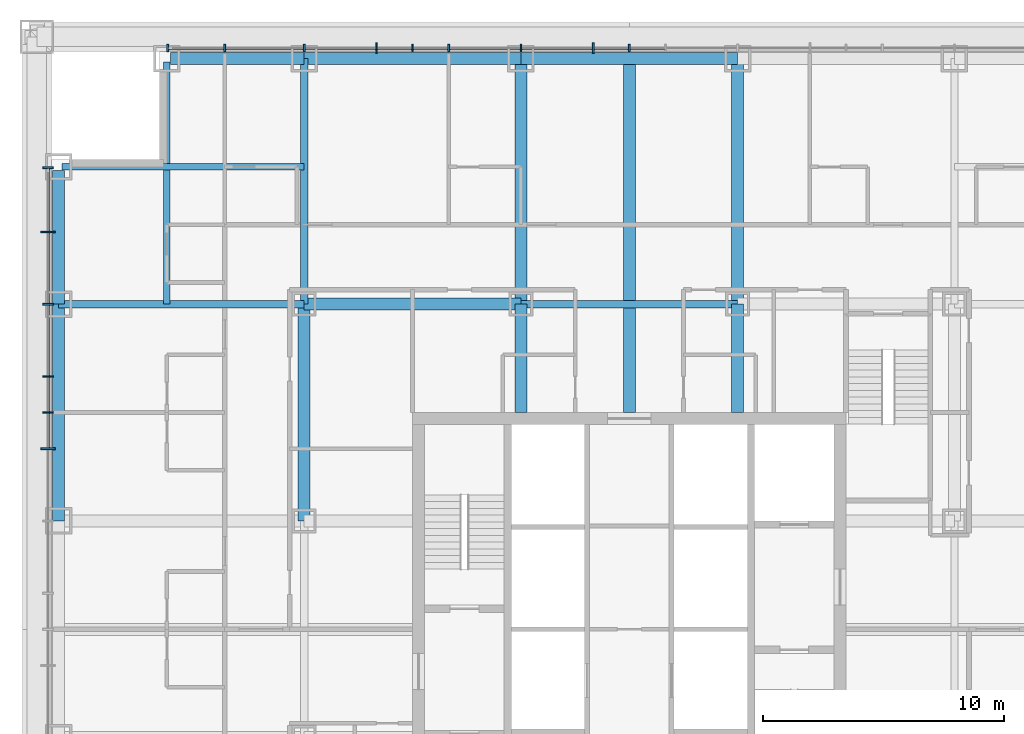
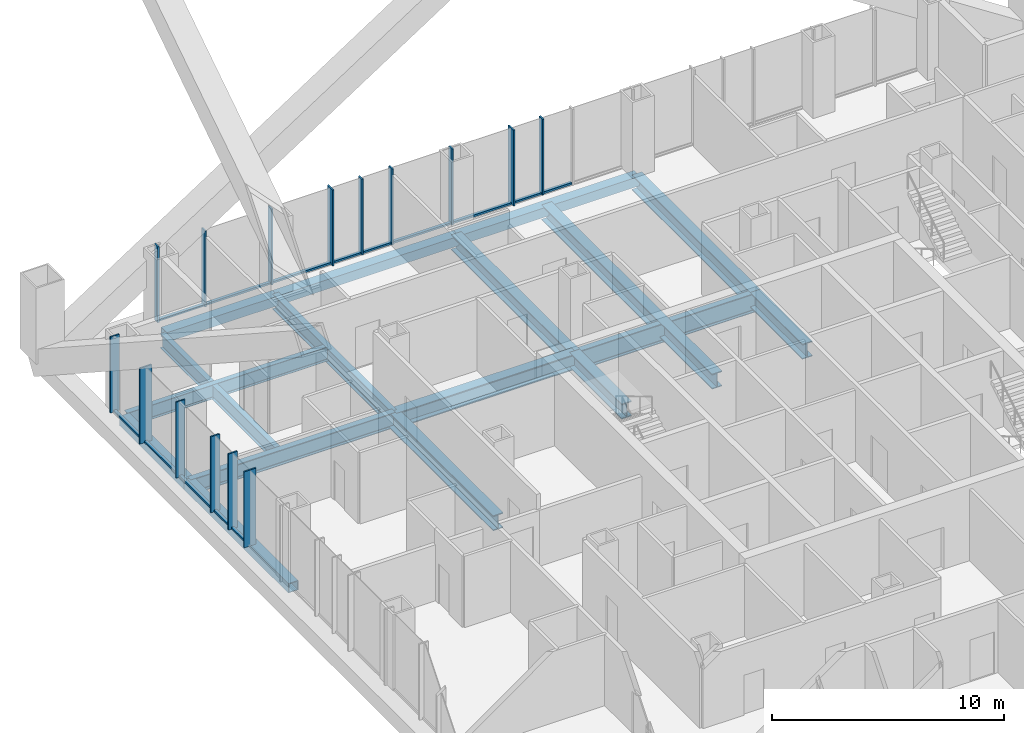
# One storey, part 7 of 21: 29 members, 17 beams, 2 elements without a shape of their own.
"""IFC4 building model written with IfcOpenShell, lengths in metres."""

from ifc_helpers import new_model, si_unit, direction, frame, origin, origin_2d, place, context, subcontext, project, spatial, rectangle, hollow_rectangle, i_section, extrude, material, layer, layer_set, material_profile, profile_set, type_object, element, aggregate, save


model = new_model("IFC4")

# Units and contexts
model_context = context("Model", 3, precision=1e-05, world=origin(), true_north=direction((0.0, 1.0)))
body_context = subcontext(model_context, "Body", "Model", "MODEL_VIEW")
ifc_project = project(units=[si_unit("LENGTHUNIT", "METRE"), si_unit("AREAUNIT", "SQUARE_METRE"), si_unit("VOLUMEUNIT", "CUBIC_METRE"), si_unit("PLANEANGLEUNIT", "RADIAN"), si_unit("MASSUNIT", "GRAM", prefix="KILO")], contexts=[model_context])

# Site, building, storey
site_placement = place(None, origin())
site = spatial("IfcSite", under=ifc_project, at=site_placement, CompositionType="ELEMENT")
building_placement = place(site_placement, origin())
building = spatial("IfcBuilding", under=site, at=building_placement, Name="Malebo Sky Hospital", CompositionType="ELEMENT")
storey_placement = place(building_placement, frame((0.0, 0.0, 140.0)))
storey = spatial("IfcBuildingStorey", under=building, at=storey_placement, Name="L33", CompositionType="ELEMENT", Elevation=140.0)

# Curtain wall, members
ifc_material_1 = material(Name="Anodised aluminium, natural silver", Category="aluminium")
ifc_layer_1 = layer(ifc_material_1, 0.25)
ifc_layer_set_1 = layer_set([ifc_layer_1], Name="WARD CURTAIN WALL NORTH AND SOUTH")
curtain_wall_type_1 = type_object("IfcCurtainWallType", Name="WARD CURTAIN WALL NORTH AND SOUTH", PredefinedType="NOTDEFINED", material=ifc_layer_set_1)
curtain_wall_1_placement = place(storey_placement, origin())
curtain_wall_1 = element("IfcCurtainWall", 1, at=curtain_wall_1_placement, inside=storey, type_object=curtain_wall_type_1, Name="NS curtain wall N", PredefinedType="NOTDEFINED")
ifc_material_profile_1 = material_profile(ifc_material_1, rectangle(XDim=0.14990234375, YDim=0.10009765625, at=origin_2d()), Name="ALUMINIUM TRANSOM 150x100")
ifc_profile_set_1 = profile_set([ifc_material_profile_1], Name="Anodised aluminium, natural silver")
member_type_1 = type_object("IfcMemberType", Name="ALUMINIUM TRANSOM 150x100", PredefinedType="USERDEFINED", material=ifc_profile_set_1)
member_1_placement = place(storey_placement, frame((40.875, 86.135009765625, 0.050048828125), z_axis=(1.0, 0.0, 0.0), x_axis=(0.0, 1.0, 0.0)))
member_1 = element("IfcMember", 2, at=member_1_placement, type_object=member_type_1, Name="Transom 1", ObjectType="TRANSOM", PredefinedType="USERDEFINED", context=body_context, shape_type="SweptSolid", body=[
    extrude(rectangle(XDim=0.14990234375, YDim=0.10009765625, at=origin_2d()), origin(), (0.0, 0.0, 1.0), 2.28759765625),
])
member_2_placement = place(storey_placement, frame((43.237548828125, 86.135009765625, 0.050048828125), z_axis=(1.0, 0.0, 0.0), x_axis=(0.0, 1.0, 0.0)))
member_2 = element("IfcMember", 3, at=member_2_placement, type_object=member_type_1, Name="Transom 2", ObjectType="TRANSOM", PredefinedType="USERDEFINED", context=body_context, shape_type="SweptSolid", body=[
    extrude(rectangle(XDim=0.14990234375, YDim=0.10009765625, at=origin_2d()), origin(), (0.0, 0.0, 1.0), 3.224853515625),
])
member_3_placement = place(storey_placement, frame((46.53759765625, 86.135009765625, 0.050048828125), z_axis=(1.0, 0.0, 0.0), x_axis=(0.0, 1.0, 0.0)))
member_3 = element("IfcMember", 4, at=member_3_placement, type_object=member_type_1, Name="Transom 3", ObjectType="TRANSOM", PredefinedType="USERDEFINED", context=body_context, shape_type="SweptSolid", body=[
    extrude(rectangle(XDim=0.14990234375, YDim=0.10009765625, at=origin_2d()), origin(), (0.0, 0.0, 1.0), 2.9248046875),
])
member_4_placement = place(storey_placement, frame((49.53759765625, 86.135009765625, 0.050048828125), z_axis=(1.0, 0.0, 0.0), x_axis=(0.0, 1.0, 0.0)))
member_4 = element("IfcMember", 5, at=member_4_placement, type_object=member_type_1, Name="Transom 4", ObjectType="TRANSOM", PredefinedType="USERDEFINED", context=body_context, shape_type="SweptSolid", body=[
    extrude(rectangle(XDim=0.14990234375, YDim=0.10009765625, at=origin_2d()), origin(), (0.0, 0.0, 1.0), 1.4248046875),
])
member_5_placement = place(storey_placement, frame((51.03759765625, 86.135009765625, 0.050048828125), z_axis=(1.0, 0.0, 0.0), x_axis=(0.0, 1.0, 0.0)))
member_5 = element("IfcMember", 6, at=member_5_placement, type_object=member_type_1, Name="Transom 5", ObjectType="TRANSOM", PredefinedType="USERDEFINED", context=body_context, shape_type="SweptSolid", body=[
    extrude(rectangle(XDim=0.14990234375, YDim=0.10009765625, at=origin_2d()), origin(), (0.0, 0.0, 1.0), 1.4248046875),
])
member_6_placement = place(storey_placement, frame((52.53759765625, 86.135009765625, 0.050048828125), z_axis=(1.0, 0.0, 0.0), x_axis=(0.0, 1.0, 0.0)))
member_6 = element("IfcMember", 7, at=member_6_placement, type_object=member_type_1, Name="Transom 6", ObjectType="TRANSOM", PredefinedType="USERDEFINED", context=body_context, shape_type="SweptSolid", body=[
    extrude(rectangle(XDim=0.14990234375, YDim=0.10009765625, at=origin_2d()), origin(), (0.0, 0.0, 1.0), 2.9248046875),
])
member_7_placement = place(storey_placement, frame((55.53759765625, 86.135009765625, 0.050048828125), z_axis=(1.0, 0.0, 0.0), x_axis=(0.0, 1.0, 0.0)))
member_7 = element("IfcMember", 8, at=member_7_placement, type_object=member_type_1, Name="Transom 7", ObjectType="TRANSOM", PredefinedType="USERDEFINED", context=body_context, shape_type="SweptSolid", body=[
    extrude(rectangle(XDim=0.14990234375, YDim=0.10009765625, at=origin_2d()), origin(), (0.0, 0.0, 1.0), 2.9248046875),
])
member_8_placement = place(storey_placement, frame((58.53759765625, 86.135009765625, 0.050048828125), z_axis=(1.0, 0.0, 0.0), x_axis=(0.0, 1.0, 0.0)))
member_8 = element("IfcMember", 9, at=member_8_placement, type_object=member_type_1, Name="Transom 8", ObjectType="TRANSOM", PredefinedType="USERDEFINED", context=body_context, shape_type="SweptSolid", body=[
    extrude(rectangle(XDim=0.14990234375, YDim=0.10009765625, at=origin_2d()), origin(), (0.0, 0.0, 1.0), 1.4248046875),
])
member_9_placement = place(storey_placement, frame((60.03759765625, 86.135009765625, 0.050048828125), z_axis=(1.0, 0.0, 0.0), x_axis=(0.0, 1.0, 0.0)))
member_9 = element("IfcMember", 10, at=member_9_placement, type_object=member_type_1, Name="Transom 9", ObjectType="TRANSOM", PredefinedType="USERDEFINED", context=body_context, shape_type="SweptSolid", body=[
    extrude(rectangle(XDim=0.14990234375, YDim=0.10009765625, at=origin_2d()), origin(), (0.0, 0.0, 1.0), 1.4248046875),
])

ifc_layer_2 = layer(ifc_material_1, 0.25)
ifc_layer_set_2 = layer_set([ifc_layer_2], Name="WARD CURTAIN WALL EAST AND WEST")
curtain_wall_type_2 = type_object("IfcCurtainWallType", Name="WARD CURTAIN WALL EAST AND WEST", PredefinedType="NOTDEFINED", material=ifc_layer_set_2)
curtain_wall_2_placement = place(storey_placement, origin())
curtain_wall_2 = element("IfcCurtainWall", 11, at=curtain_wall_2_placement, inside=storey, type_object=curtain_wall_type_2, Name="EW curtain wall W", PredefinedType="NOTDEFINED")
member_10_placement = place(storey_placement, frame((35.864990234375, 69.53759765625, 0.050048828125), z_axis=(0.0, 1.0, 0.0), x_axis=(-1.0, 0.0, 0.0)))
member_10 = element("IfcMember", 12, at=member_10_placement, type_object=member_type_1, Name="Transom 12", ObjectType="TRANSOM", PredefinedType="USERDEFINED", context=body_context, shape_type="SweptSolid", body=[
    extrude(rectangle(XDim=0.14990234375, YDim=0.10009765625, at=origin_2d()), origin(), (0.0, 0.0, 1.0), 1.4248046875),
])
member_11_placement = place(storey_placement, frame((35.864990234375, 71.03759765625, 0.050048828125), z_axis=(0.0, 1.0, 0.0), x_axis=(-1.0, 0.0, 0.0)))
member_11 = element("IfcMember", 13, at=member_11_placement, type_object=member_type_1, Name="Transom 13", ObjectType="TRANSOM", PredefinedType="USERDEFINED", context=body_context, shape_type="SweptSolid", body=[
    extrude(rectangle(XDim=0.14990234375, YDim=0.10009765625, at=origin_2d()), origin(), (0.0, 0.0, 1.0), 1.4248046875),
])
member_12_placement = place(storey_placement, frame((35.864990234375, 72.53759765625, 0.050048828125), z_axis=(0.0, 1.0, 0.0), x_axis=(-1.0, 0.0, 0.0)))
member_12 = element("IfcMember", 14, at=member_12_placement, type_object=member_type_1, Name="Transom 14", ObjectType="TRANSOM", PredefinedType="USERDEFINED", context=body_context, shape_type="SweptSolid", body=[
    extrude(rectangle(XDim=0.14990234375, YDim=0.10009765625, at=origin_2d()), origin(), (0.0, 0.0, 1.0), 2.9248046875),
])
member_13_placement = place(storey_placement, frame((35.864990234375, 75.53759765625, 0.050048828125), z_axis=(0.0, 1.0, 0.0), x_axis=(-1.0, 0.0, 0.0)))
member_13 = element("IfcMember", 15, at=member_13_placement, type_object=member_type_1, Name="Transom 15", ObjectType="TRANSOM", PredefinedType="USERDEFINED", context=body_context, shape_type="SweptSolid", body=[
    extrude(rectangle(XDim=0.14990234375, YDim=0.10009765625, at=origin_2d()), origin(), (0.0, 0.0, 1.0), 2.9248046875),
])
member_14_placement = place(storey_placement, frame((35.864990234375, 78.53759765625, 0.050048828125), z_axis=(0.0, 1.0, 0.0), x_axis=(-1.0, 0.0, 0.0)))
member_14 = element("IfcMember", 16, at=member_14_placement, type_object=member_type_1, Name="Transom 16", ObjectType="TRANSOM", PredefinedType="USERDEFINED", context=body_context, shape_type="SweptSolid", body=[
    extrude(rectangle(XDim=0.14990234375, YDim=0.10009765625, at=origin_2d()), origin(), (0.0, 0.0, 1.0), 2.58740234375),
])

# Member
ifc_material_profile_2 = material_profile(ifc_material_1, rectangle(XDim=0.074951171875, YDim=0.300048828125, at=origin_2d()), Name="CW1 ALUMINIUM FIN MULLION 75x300")
ifc_profile_set_2 = profile_set([ifc_material_profile_2], Name="Anodised aluminium, natural silver")
member_type_2 = type_object("IfcMemberType", Name="CW1 ALUMINIUM FIN MULLION 75x300", PredefinedType="MULLION", material=ifc_profile_set_2)
member_15_placement = place(storey_placement, frame((40.83740234375, 86.135009765625, 0.0), z_axis=(0.0, 0.0, 1.0), x_axis=(1.0, 0.0, 0.0)))
member_15 = element("IfcMember", 17, at=member_15_placement, type_object=member_type_2, Name="Fin mullion 1", PredefinedType="MULLION", context=body_context, shape_type="SweptSolid", body=[
    extrude(rectangle(XDim=0.074951171875, YDim=0.300048828125, at=origin_2d()), origin(), (0.0, 0.0, 1.0), 4.0),
])

member_16_placement = place(storey_placement, frame((43.199951171875, 86.135009765625, 0.0), z_axis=(0.0, 0.0, 1.0), x_axis=(1.0, 0.0, 0.0)))
member_16 = element("IfcMember", 18, at=member_16_placement, type_object=member_type_2, Name="Fin mullion 2", PredefinedType="MULLION", context=body_context, shape_type="SweptSolid", body=[
    extrude(rectangle(XDim=0.074951171875, YDim=0.300048828125, at=origin_2d()), origin(), (0.0, 0.0, 1.0), 4.0),
])

member_17_placement = place(storey_placement, frame((46.5, 86.135009765625, 0.0), z_axis=(0.0, 0.0, 1.0), x_axis=(1.0, 0.0, 0.0)))
member_17 = element("IfcMember", 19, at=member_17_placement, type_object=member_type_2, Name="Fin mullion 3", PredefinedType="MULLION", context=body_context, shape_type="SweptSolid", body=[
    extrude(rectangle(XDim=0.074951171875, YDim=0.300048828125, at=origin_2d()), origin(), (0.0, 0.0, 1.0), 4.0),
])

member_18_placement = place(storey_placement, frame((51.0, 86.135009765625, 0.0), z_axis=(0.0, 0.0, 1.0), x_axis=(1.0, 0.0, 0.0)))
member_18 = element("IfcMember", 20, at=member_18_placement, type_object=member_type_2, Name="Fin mullion 5", PredefinedType="MULLION", context=body_context, shape_type="SweptSolid", body=[
    extrude(rectangle(XDim=0.074951171875, YDim=0.300048828125, at=origin_2d()), origin(), (0.0, 0.0, 1.0), 4.0),
])

member_19_placement = place(storey_placement, frame((52.5, 86.135009765625, 0.0), z_axis=(0.0, 0.0, 1.0), x_axis=(1.0, 0.0, 0.0)))
member_19 = element("IfcMember", 21, at=member_19_placement, type_object=member_type_2, Name="Fin mullion 6", PredefinedType="MULLION", context=body_context, shape_type="SweptSolid", body=[
    extrude(rectangle(XDim=0.074951171875, YDim=0.300048828125, at=origin_2d()), origin(), (0.0, 0.0, 1.0), 4.0),
])

member_20_placement = place(storey_placement, frame((55.5, 86.135009765625, 0.0), z_axis=(0.0, 0.0, 1.0), x_axis=(1.0, 0.0, 0.0)))
member_20 = element("IfcMember", 22, at=member_20_placement, type_object=member_type_2, Name="Fin mullion 7", PredefinedType="MULLION", context=body_context, shape_type="SweptSolid", body=[
    extrude(rectangle(XDim=0.074951171875, YDim=0.300048828125, at=origin_2d()), origin(), (0.0, 0.0, 1.0), 4.0),
])

member_21_placement = place(storey_placement, frame((60.0, 86.135009765625, 0.0), z_axis=(0.0, 0.0, 1.0), x_axis=(1.0, 0.0, 0.0)))
member_21 = element("IfcMember", 23, at=member_21_placement, type_object=member_type_2, Name="Fin mullion 9", PredefinedType="MULLION", context=body_context, shape_type="SweptSolid", body=[
    extrude(rectangle(XDim=0.074951171875, YDim=0.300048828125, at=origin_2d()), origin(), (0.0, 0.0, 1.0), 4.0),
])

ifc_material_profile_3 = material_profile(ifc_material_1, rectangle(XDim=0.074951171875, YDim=0.449951171875, at=origin_2d()), Name="CW1 ALUMINIUM FIN MULLION 75x450")
ifc_profile_set_3 = profile_set([ifc_material_profile_3], Name="Anodised aluminium, natural silver")
member_type_3 = type_object("IfcMemberType", Name="CW1 ALUMINIUM FIN MULLION 75x450", PredefinedType="MULLION", material=ifc_profile_set_3)
member_22_placement = place(storey_placement, frame((49.5, 86.135009765625, 0.0), z_axis=(0.0, 0.0, 1.0), x_axis=(1.0, 0.0, 0.0)))
member_22 = element("IfcMember", 24, at=member_22_placement, type_object=member_type_3, Name="Fin mullion 4", PredefinedType="MULLION", context=body_context, shape_type="SweptSolid", body=[
    extrude(rectangle(XDim=0.074951171875, YDim=0.449951171875, at=origin_2d()), origin(), (0.0, 0.0, 1.0), 4.0),
])

member_23_placement = place(storey_placement, frame((58.5, 86.135009765625, 0.0), z_axis=(0.0, 0.0, 1.0), x_axis=(1.0, 0.0, 0.0)))
member_23 = element("IfcMember", 25, at=member_23_placement, type_object=member_type_3, Name="Fin mullion 8", PredefinedType="MULLION", context=body_context, shape_type="SweptSolid", body=[
    extrude(rectangle(XDim=0.074951171875, YDim=0.449951171875, at=origin_2d()), origin(), (0.0, 0.0, 1.0), 4.0),
])

aggregate(curtain_wall_1, [member_15, member_16, member_17, member_22, member_18, member_19, member_20, member_23, member_21, member_1, member_2, member_3, member_4, member_5, member_6, member_7, member_8, member_9])

ifc_material_profile_4 = material_profile(ifc_material_1, rectangle(XDim=0.074951171875, YDim=0.449951171875, at=origin_2d()), Name="CW2 ALUMINIUM FIN MULLION 75x450")
ifc_profile_set_4 = profile_set([ifc_material_profile_4], Name="Anodised aluminium, natural silver")
member_type_4 = type_object("IfcMemberType", Name="CW2 ALUMINIUM FIN MULLION 75x450", PredefinedType="MULLION", material=ifc_profile_set_4)
member_24_placement = place(storey_placement, frame((35.864990234375, 71.0, 0.0), z_axis=(0.0, 0.0, 1.0), x_axis=(0.0, 1.0, 0.0)))
member_24 = element("IfcMember", 26, at=member_24_placement, type_object=member_type_4, Name="Fin mullion 13", PredefinedType="MULLION", context=body_context, shape_type="SweptSolid", body=[
    extrude(rectangle(XDim=0.074951171875, YDim=0.449951171875, at=origin_2d()), origin(), (0.0, 0.0, 1.0), 4.0),
])

member_25_placement = place(storey_placement, frame((35.864990234375, 72.5, 0.0), z_axis=(0.0, 0.0, 1.0), x_axis=(0.0, 1.0, 0.0)))
member_25 = element("IfcMember", 27, at=member_25_placement, type_object=member_type_4, Name="Fin mullion 14", PredefinedType="MULLION", context=body_context, shape_type="SweptSolid", body=[
    extrude(rectangle(XDim=0.074951171875, YDim=0.449951171875, at=origin_2d()), origin(), (0.0, 0.0, 1.0), 4.0),
])

member_26_placement = place(storey_placement, frame((35.864990234375, 75.5, 0.0), z_axis=(0.0, 0.0, 1.0), x_axis=(0.0, 1.0, 0.0)))
member_26 = element("IfcMember", 28, at=member_26_placement, type_object=member_type_4, Name="Fin mullion 15", PredefinedType="MULLION", context=body_context, shape_type="SweptSolid", body=[
    extrude(rectangle(XDim=0.074951171875, YDim=0.449951171875, at=origin_2d()), origin(), (0.0, 0.0, 1.0), 4.0),
])

member_27_placement = place(storey_placement, frame((35.864990234375, 81.16259765625, 0.0), z_axis=(0.0, 0.0, 1.0), x_axis=(0.0, 1.0, 0.0)))
member_27 = element("IfcMember", 29, at=member_27_placement, type_object=member_type_4, Name="Fin mullion 17", PredefinedType="MULLION", context=body_context, shape_type="SweptSolid", body=[
    extrude(rectangle(XDim=0.074951171875, YDim=0.449951171875, at=origin_2d()), origin(), (0.0, 0.0, 1.0), 4.0),
])

ifc_material_profile_5 = material_profile(ifc_material_1, rectangle(XDim=0.074951171875, YDim=0.60009765625, at=origin_2d()), Name="CW2 ALUMINIUM FIN MULLION 75x600")
ifc_profile_set_5 = profile_set([ifc_material_profile_5], Name="Anodised aluminium, natural silver")
member_type_5 = type_object("IfcMemberType", Name="CW2 ALUMINIUM FIN MULLION 75x600", PredefinedType="MULLION", material=ifc_profile_set_5)
member_28_placement = place(storey_placement, frame((35.864990234375, 69.5, 0.0), z_axis=(0.0, 0.0, 1.0), x_axis=(0.0, 1.0, 0.0)))
member_28 = element("IfcMember", 30, at=member_28_placement, type_object=member_type_5, Name="Fin mullion 12", PredefinedType="MULLION", context=body_context, shape_type="SweptSolid", body=[
    extrude(rectangle(XDim=0.074951171875, YDim=0.60009765625, at=origin_2d()), origin(), (0.0, 0.0, 1.0), 4.0),
])

member_29_placement = place(storey_placement, frame((35.864990234375, 78.5, 0.0), z_axis=(0.0, 0.0, 1.0), x_axis=(0.0, 1.0, 0.0)))
member_29 = element("IfcMember", 31, at=member_29_placement, type_object=member_type_5, Name="Fin mullion 16", PredefinedType="MULLION", context=body_context, shape_type="SweptSolid", body=[
    extrude(rectangle(XDim=0.074951171875, YDim=0.60009765625, at=origin_2d()), origin(), (0.0, 0.0, 1.0), 4.0),
])

aggregate(curtain_wall_2, [member_28, member_24, member_25, member_26, member_29, member_27, member_10, member_11, member_12, member_13, member_14])

# Beams
ifc_material_2 = material(Name="Steel S460", Category="steel")
ifc_material_profile_6 = material_profile(ifc_material_2, hollow_rectangle(XDim=0.5, YDim=0.5, WallThickness=0.030029296875, at=origin_2d()), Name="BOX 500x500x30")
ifc_profile_set_6 = profile_set([ifc_material_profile_6], Name="Steel S460")
beam_type_1 = type_object("IfcBeamType", Name="EDGE BEAM BOX 500x500x30", PredefinedType="BEAM", material=ifc_profile_set_6)
beam_1_placement = place(storey_placement, frame((36.300048828125, 66.5, -0.5), z_axis=(0.0, 1.0, 0.0), x_axis=(-1.0, 0.0, 0.0)))
element("IfcBeam", 32, at=beam_1_placement, inside=storey, type_object=beam_type_1, Name="Beam 003 L33", PredefinedType="BEAM", context=body_context, shape_type="SweptSolid", body=[
    extrude(hollow_rectangle(XDim=0.5, YDim=0.5, WallThickness=0.030029296875, at=origin_2d()), origin(), (0.0, 0.0, 1.0), 9.0),
])
for number, where, z_axis, x_axis, name in (
    (33, (36.300048828125, 75.5, -0.5), (0.0, 1.0, 0.0), (-1.0, 0.0, 0.0), "Beam 004 L33"),
    (34, (40.949951171875, 85.699951171875, -0.5), (1.0, 0.0, 0.0), (0.0, 1.0, 0.0), "Beam 063 L33"),
):
    element("IfcBeam", number, at=place(storey_placement, frame(where, z_axis=z_axis, x_axis=x_axis)), inside=storey, type_object=beam_type_1, Name=name, PredefinedType="BEAM", context=body_context, shape_type="SweptSolid", body=[
        extrude(hollow_rectangle(XDim=0.5, YDim=0.5, WallThickness=0.030029296875, at=origin_2d()), origin(), (0.0, 0.0, 1.0), 5.550048828125),
    ])
for number, where, z_axis, x_axis, name in (
    (35, (46.5, 85.699951171875, -0.5), (1.0, 0.0, 0.0), (0.0, 1.0, 0.0), "Beam 064 L33"),
    (36, (55.5, 85.699951171875, -0.5), (1.0, 0.0, 0.0), (0.0, 1.0, 0.0), "Beam 065 L33"),
):
    element("IfcBeam", number, at=place(storey_placement, frame(where, z_axis=z_axis, x_axis=x_axis)), inside=storey, type_object=beam_type_1, Name=name, PredefinedType="BEAM", context=body_context, shape_type="SweptSolid", body=[
        extrude(hollow_rectangle(XDim=0.5, YDim=0.5, WallThickness=0.030029296875, at=origin_2d()), origin(), (0.0, 0.0, 1.0), 9.0),
    ])
ifc_material_3 = material(Name="Steel S355", Category="steel")
ifc_material_profile_7 = material_profile(ifc_material_3, i_section(OverallWidth=0.262939453125, OverallDepth=0.7529296875, WebThickness=0.011474609375, FlangeThickness=0.01708984375, FilletRadius=0.01708984375, at=origin_2d()), Name="IPE 750x137")
ifc_profile_set_7 = profile_set([ifc_material_profile_7], Name="Steel S355")
beam_type_2 = type_object("IfcBeamType", Name="FLOOR BEAM IPE 750x137", PredefinedType="BEAM", material=ifc_profile_set_7)
for number, where, z_axis, x_axis, name in (
    (37, (40.800048828125, 75.5, -0.62646484375), (0.0, 1.0, 0.0), (-1.0, 0.0, 0.0), "Beam 006 L33"),
    (38, (36.449951171875, 81.199951171875, -0.62646484375), (1.0, 0.0, 0.0), (0.0, 1.0, 0.0), "Beam 061 L33"),
):
    element("IfcBeam", number, at=place(storey_placement, frame(where, z_axis=z_axis, x_axis=x_axis)), inside=storey, type_object=beam_type_2, Name=name, PredefinedType="BEAM", context=body_context, shape_type="SweptSolid", body=[
        extrude(i_section(OverallWidth=0.262939453125, OverallDepth=0.7529296875, WebThickness=0.011474609375, FlangeThickness=0.01708984375, FilletRadius=0.01708984375, at=origin_2d()), origin(), (0.0, 0.0, 1.0), 10.050048828125),
    ])
ifc_material_profile_8 = material_profile(ifc_material_3, i_section(OverallWidth=0.5, OverallDepth=0.800048828125, WebThickness=0.030029296875, FlangeThickness=0.050048828125, at=origin_2d()), Name="PG 800x500x30x50")
ifc_profile_set_8 = profile_set([ifc_material_profile_8], Name="Steel S355")
beam_type_3 = type_object("IfcBeamType", Name="FLOOR BEAM PG 800x500x30x50", PredefinedType="BEAM", material=ifc_profile_set_8)
beam_2_placement = place(storey_placement, frame((46.5, 66.5, -0.64990234375), z_axis=(0.0, 1.0, 0.0), x_axis=(-1.0, 0.0, 0.0)))
element("IfcBeam", 39, at=beam_2_placement, inside=storey, type_object=beam_type_3, Name="Beam 010 L33", PredefinedType="BEAM", context=body_context, shape_type="SweptSolid", body=[
    extrude(i_section(OverallWidth=0.5, OverallDepth=0.800048828125, WebThickness=0.030029296875, FlangeThickness=0.050048828125, at=origin_2d()), origin(), (0.0, 0.0, 1.0), 9.0),
])
beam_3_placement = place(storey_placement, frame((55.5, 71.0, -0.64990234375), z_axis=(0.0, 1.0, 0.0), x_axis=(-1.0, 0.0, 0.0)))
element("IfcBeam", 40, at=beam_3_placement, inside=storey, type_object=beam_type_3, Name="Beam 014 L33", PredefinedType="BEAM", context=body_context, shape_type="SweptSolid", body=[
    extrude(i_section(OverallWidth=0.5, OverallDepth=0.800048828125, WebThickness=0.030029296875, FlangeThickness=0.050048828125, at=origin_2d()), origin(), (0.0, 0.0, 1.0), 4.5),
])
beam_4_placement = place(storey_placement, frame((55.5, 75.5, -0.64990234375), z_axis=(0.0, 1.0, 0.0), x_axis=(-1.0, 0.0, 0.0)))
element("IfcBeam", 41, at=beam_4_placement, inside=storey, type_object=beam_type_3, Name="Beam 015 L33", PredefinedType="BEAM", context=body_context, shape_type="SweptSolid", body=[
    extrude(i_section(OverallWidth=0.5, OverallDepth=0.800048828125, WebThickness=0.030029296875, FlangeThickness=0.050048828125, at=origin_2d()), origin(), (0.0, 0.0, 1.0), 10.199951171875),
])
beam_5_placement = place(storey_placement, frame((60.0, 71.0, -0.64990234375), z_axis=(0.0, 1.0, 0.0), x_axis=(-1.0, 0.0, 0.0)))
element("IfcBeam", 42, at=beam_5_placement, inside=storey, type_object=beam_type_3, Name="Beam 017 L33", PredefinedType="BEAM", context=body_context, shape_type="SweptSolid", body=[
    extrude(i_section(OverallWidth=0.5, OverallDepth=0.800048828125, WebThickness=0.030029296875, FlangeThickness=0.050048828125, at=origin_2d()), origin(), (0.0, 0.0, 1.0), 14.699951171875),
])
beam_6_placement = place(storey_placement, frame((64.5, 71.0, -0.64990234375), z_axis=(0.0, 1.0, 0.0), x_axis=(-1.0, 0.0, 0.0)))
element("IfcBeam", 43, at=beam_6_placement, inside=storey, type_object=beam_type_3, Name="Beam 020 L33", PredefinedType="BEAM", context=body_context, shape_type="SweptSolid", body=[
    extrude(i_section(OverallWidth=0.5, OverallDepth=0.800048828125, WebThickness=0.030029296875, FlangeThickness=0.050048828125, at=origin_2d()), origin(), (0.0, 0.0, 1.0), 4.5),
])
beam_7_placement = place(storey_placement, frame((64.5, 75.5, -0.64990234375), z_axis=(0.0, 1.0, 0.0), x_axis=(-1.0, 0.0, 0.0)))
element("IfcBeam", 44, at=beam_7_placement, inside=storey, type_object=beam_type_3, Name="Beam 021 L33", PredefinedType="BEAM", context=body_context, shape_type="SweptSolid", body=[
    extrude(i_section(OverallWidth=0.5, OverallDepth=0.800048828125, WebThickness=0.030029296875, FlangeThickness=0.050048828125, at=origin_2d()), origin(), (0.0, 0.0, 1.0), 10.199951171875),
])
beam_8_placement = place(storey_placement, frame((46.5, 75.5, -0.64990234375), z_axis=(1.0, 0.0, 0.0), x_axis=(0.0, 1.0, 0.0)))
element("IfcBeam", 45, at=beam_8_placement, inside=storey, type_object=beam_type_3, Name="Beam 057 L33", PredefinedType="BEAM", context=body_context, shape_type="SweptSolid", body=[
    extrude(i_section(OverallWidth=0.5, OverallDepth=0.800048828125, WebThickness=0.030029296875, FlangeThickness=0.050048828125, at=origin_2d()), origin(), (0.0, 0.0, 1.0), 9.0),
])
ifc_material_profile_9 = material_profile(ifc_material_3, i_section(OverallWidth=0.300048828125, OverallDepth=0.800048828125, WebThickness=0.017578125, FlangeThickness=0.032958984375, FilletRadius=0.030029296875, at=origin_2d()), Name="HEB 800")
ifc_profile_set_9 = profile_set([ifc_material_profile_9], Name="Steel S355")
beam_type_4 = type_object("IfcBeamType", Name="FLOOR GIRDER HEB 800", PredefinedType="BEAM", material=ifc_profile_set_9)
for number, where, z_axis, x_axis, name in (
    (46, (46.5, 75.5, -0.64990234375), (0.0, 1.0, 0.0), (-1.0, 0.0, 0.0), "Beam 011 L33"),
    (47, (36.300048828125, 75.5, -0.64990234375), (1.0, 0.0, 0.0), (0.0, 1.0, 0.0), "Beam 056 L33"),
):
    element("IfcBeam", number, at=place(storey_placement, frame(where, z_axis=z_axis, x_axis=x_axis)), inside=storey, type_object=beam_type_4, Name=name, PredefinedType="BEAM", context=body_context, shape_type="SweptSolid", body=[
        extrude(i_section(OverallWidth=0.300048828125, OverallDepth=0.800048828125, WebThickness=0.017578125, FlangeThickness=0.032958984375, FilletRadius=0.030029296875, at=origin_2d()), origin(), (0.0, 0.0, 1.0), 10.199951171875),
    ])
ifc_material_profile_10 = material_profile(ifc_material_3, i_section(OverallWidth=0.300048828125, OverallDepth=1.0, WebThickness=0.01904296875, FlangeThickness=0.035888671875, FilletRadius=0.030029296875, at=origin_2d()), Name="HEB 1000")
ifc_profile_set_10 = profile_set([ifc_material_profile_10], Name="Steel S355")
beam_type_5 = type_object("IfcBeamType", Name="RING GIRDER HEB 1000", PredefinedType="BEAM", material=ifc_profile_set_10)
beam_9_placement = place(storey_placement, frame((55.5, 75.5, -0.75), z_axis=(1.0, 0.0, 0.0), x_axis=(0.0, 1.0, 0.0)))
element("IfcBeam", 48, at=beam_9_placement, inside=storey, type_object=beam_type_5, Name="Beam 058 L33", PredefinedType="BEAM", context=body_context, shape_type="SweptSolid", body=[
    extrude(i_section(OverallWidth=0.300048828125, OverallDepth=1.0, WebThickness=0.01904296875, FlangeThickness=0.035888671875, FilletRadius=0.030029296875, at=origin_2d()), origin(), (0.0, 0.0, 1.0), 9.0),
])

save(model, "model.ifc")
